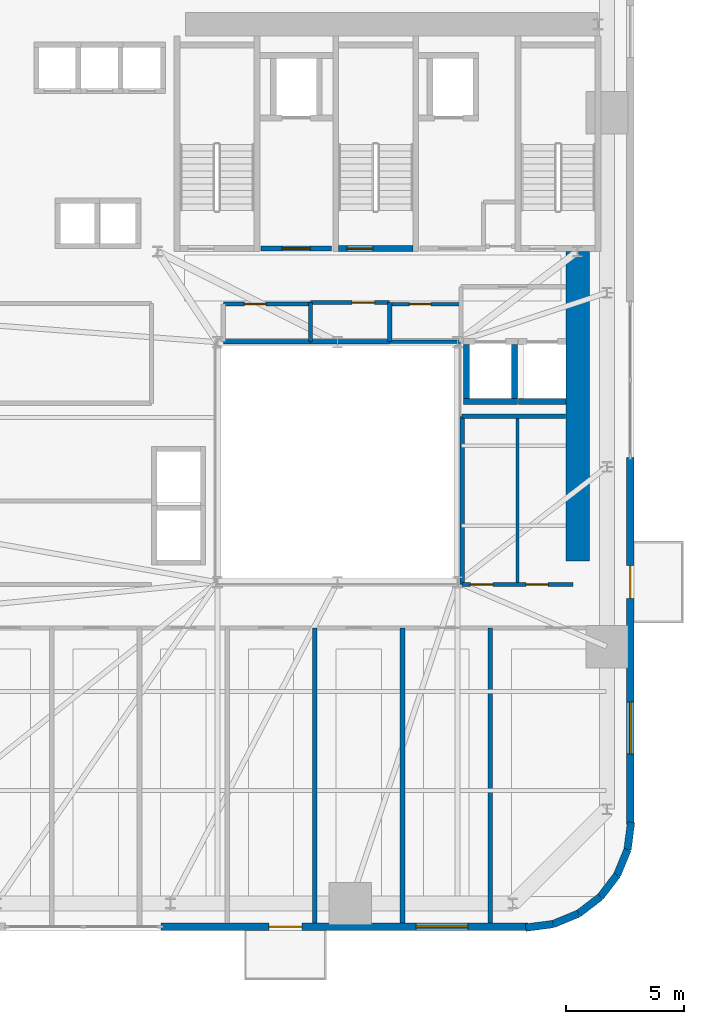
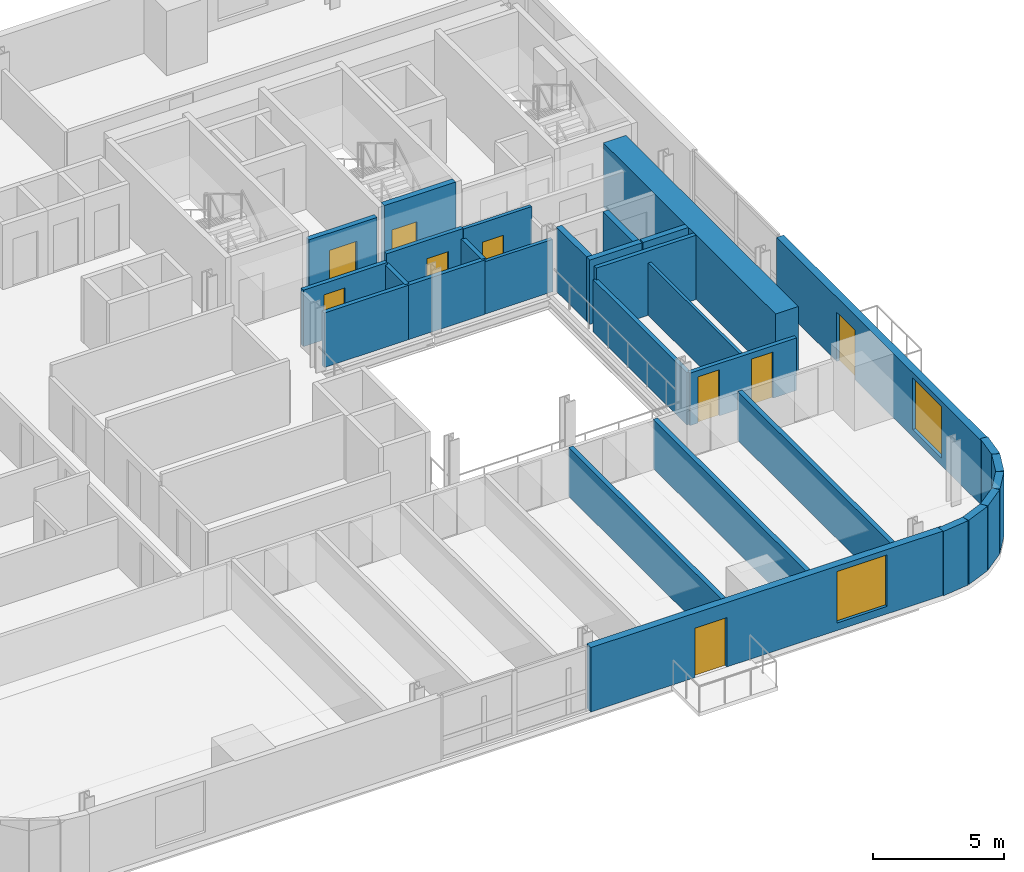
# One storey, part 7 of 13: 30 walls, 9 doors, 2 windows, 11 openings.
"""IFC4 building model written with IfcOpenShell, lengths in metres."""

from ifc_helpers import new_model, si_unit, direction, frame, frame_2d, origin, place, context, subcontext, project, spatial, rectangle, extrude, source, transform, mapped, material, layer, layer_set, type_object, element, fill, save


model = new_model("IFC4")

# Units and contexts
model_context = context("Model", 3, precision=1e-05, world=origin(), true_north=direction((0.0, 1.0)))
body_context = subcontext(model_context, "Body", "Model", "MODEL_VIEW")
ifc_project = project(units=[si_unit("LENGTHUNIT", "METRE"), si_unit("AREAUNIT", "SQUARE_METRE"), si_unit("VOLUMEUNIT", "CUBIC_METRE"), si_unit("PLANEANGLEUNIT", "RADIAN"), si_unit("MASSUNIT", "GRAM", prefix="KILO")], contexts=[model_context])

# Site, building, storey
site_placement = place(None, origin())
site = spatial("IfcSite", under=ifc_project, at=site_placement, CompositionType="ELEMENT")
building_placement = place(site_placement, origin())
building = spatial("IfcBuilding", under=site, at=building_placement, Name="Vardaveli Station Tower", CompositionType="ELEMENT")
storey_placement = place(building_placement, frame((0.0, 0.0, 89.64990234375)))
storey = spatial("IfcBuildingStorey", under=building, at=storey_placement, Name="L23", CompositionType="ELEMENT", Elevation=89.64990234375)

# Wall
ifc_material_1 = material(Name="Concrete C60/75", Category="concrete")
ifc_layer_1 = layer(ifc_material_1, 1.0, Name="Concrete C60/75")
ifc_layer_set_1 = layer_set([ifc_layer_1], Name="Concrete C60/75")
wall_type_1 = type_object("IfcWallType", Name="WAL-CORE-1000", PredefinedType="SHEAR", material=ifc_layer_set_1)
shared_shape_1 = source(origin(), body_context, "Body", "SweptSolid", [
    extrude(rectangle(XDim=13.14990234375, YDim=1.0, at=frame_2d((6.574951171875, 0.0))), origin(), (0.0, 0.0, 1.0), 3.0),
])
wall_1_placement = place(storey_placement, frame((46.5, 17.5, 0.0), z_axis=(0.0, 0.0, 1.0), x_axis=(0.0, 1.0, 0.0)))
element("IfcWall", 1, at=wall_1_placement, inside=storey, type_object=wall_type_1, Name="SW-L23-EAST2", PredefinedType="SHEAR", context=body_context, shape_type="MappedRepresentation", body=[
    mapped(shared_shape_1, transform((0.0, 0.0, 0.0), scale=1.0)),
])

# Wall, openings, door, window
ifc_material_2 = material(Name="Precast concrete C45/55", Category="concrete")
ifc_layer_2 = layer(ifc_material_2, 0.320068359375, Name="Precast concrete C45/55")
ifc_layer_set_2 = layer_set([ifc_layer_2], Name="Precast concrete C45/55")
wall_type_2 = type_object("IfcWallType", Name="WAL-EXT-STONE-320", PredefinedType="SOLIDWALL", material=ifc_layer_set_2)
shared_shape_2 = source(origin(), body_context, "Body", "SweptSolid", [
    extrude(rectangle(XDim=15.599853515625, YDim=0.320068359375, at=frame_2d((7.7998046875, 0.0))), origin(), (0.0, 0.0, 1.0), 3.0),
])
wall_2_placement = place(storey_placement, frame((28.800048828125, 1.9599609375, 0.0), z_axis=(0.0, 0.0, 1.0), x_axis=(1.0, 0.0, 0.0)))
wall_2 = element("IfcWall", 2, at=wall_2_placement, inside=storey, type_object=wall_type_2, Name="EW-L23-S2", PredefinedType="SOLIDWALL", context=body_context, shape_type="MappedRepresentation", body=[
    mapped(shared_shape_2, transform((0.0, 0.0, 0.0), scale=1.0)),
])
shared_shape_3 = source(origin(), body_context, "Body", "SweptSolid", [
    extrude(rectangle(XDim=1.39990234375, YDim=2.300048828125, at=frame_2d((0.699951171875, 1.14990234375))), frame((0.0, 0.169921875, 0.0), z_axis=(0.0, -1.0, 0.0), x_axis=(1.0, 0.0, 0.0)), (0.0, 0.0, 1.0), 0.340087890625),
])
opening_1_placement = place(wall_2_placement, frame((4.589599609375, 0.0, 0.0)))
opening_1 = element("IfcOpeningElement", 3, at=opening_1_placement, cuts=wall_2, Name="Opening D-09", PredefinedType="OPENING", context=body_context, shape_type="MappedRepresentation", body=[
    mapped(shared_shape_3, transform((0.0, 0.0, 0.0), scale=1.0)),
])
shared_shape_4 = source(origin(), body_context, "Body", "SweptSolid", [
    extrude(rectangle(XDim=2.199951171875, YDim=2.39990234375, at=frame_2d((1.10009765625, 1.199951171875))), frame((0.0, 0.169921875, 0.0), z_axis=(0.0, -1.0, 0.0), x_axis=(1.0, 0.0, 0.0)), (0.0, 0.0, 1.0), 0.340087890625),
])
opening_2_placement = place(wall_2_placement, frame((10.844970703125, 0.0, 0.35009765625)))
opening_2 = element("IfcOpeningElement", 4, at=opening_2_placement, cuts=wall_2, Name="Opening W-03", PredefinedType="OPENING", context=body_context, shape_type="MappedRepresentation", body=[
    mapped(shared_shape_4, transform((0.0, 0.0, 0.0), scale=1.0)),
])
ifc_material_3 = material(Name="Thermally broken aluminium glass", Category="aluminium")
door_type_1 = type_object("IfcDoorType", Name="DR-LOG-1400x2300", OperationType="DOUBLE_DOOR_SLIDING", PredefinedType="DOOR", material=ifc_material_3)
shared_shape_5 = source(origin(), body_context, "Body", "SweptSolid", [
    extrude(rectangle(XDim=1.39990234375, YDim=2.300048828125, at=frame_2d((0.699951171875, 1.14990234375))), frame((0.0, 0.02490234375, 0.0), z_axis=(0.0, -1.0, 0.0), x_axis=(1.0, 0.0, 0.0)), (0.0, 0.0, 1.0), 0.050048828125),
])
door_1_placement = place(opening_1_placement, frame((1.39990234375, 0.0, 0.0), z_axis=(0.0, 0.0, 1.0), x_axis=(-1.0, 0.0, 0.0)))
door_1 = element("IfcDoor", 5, at=door_1_placement, inside=storey, type_object=door_type_1, Name="DLG-L23-S", OperationType="DOUBLE_DOOR_SLIDING", OverallHeight=2.300048828125, OverallWidth=1.39990234375, PredefinedType="DOOR", context=body_context, shape_type="MappedRepresentation", body=[
    mapped(shared_shape_5, transform((0.0, 0.0, 0.0), scale=1.0)),
])
fill(opening_1, door_1)
ifc_material_4 = material(Name="Low-E solar-control glass", Category="glass")
window_type = type_object("IfcWindowType", Name="WIN-LOG-2200x2400", PartitioningType="SINGLE_PANEL", PredefinedType="WINDOW", material=ifc_material_4)
shared_shape_6 = source(origin(), body_context, "Body", "SweptSolid", [
    extrude(rectangle(XDim=2.199951171875, YDim=2.39990234375, at=frame_2d((1.10009765625, 1.199951171875))), frame((0.0, 0.030029296875, 0.0), z_axis=(0.0, -1.0, 0.0), x_axis=(1.0, 0.0, 0.0)), (0.0, 0.0, 1.0), 0.06005859375),
])
window_1_placement = place(opening_2_placement, origin())
window_1 = element("IfcWindow", 6, at=window_1_placement, inside=storey, type_object=window_type, Name="WN-L23-S2", OverallHeight=2.39990234375, OverallWidth=2.199951171875, PartitioningType="SINGLE_PANEL", PredefinedType="WINDOW", context=body_context, shape_type="MappedRepresentation", body=[
    mapped(shared_shape_6, transform((0.0, 0.0, 0.0), scale=1.0)),
])
fill(opening_2, window_1)

wall_3_placement = place(storey_placement, frame((48.739990234375, 6.300048828125, 0.0), z_axis=(0.0, 0.0, 1.0), x_axis=(0.0, 1.0, 0.0)))
wall_3 = element("IfcWall", 7, at=wall_3_placement, inside=storey, type_object=wall_type_2, Name="EW-L23-E1", PredefinedType="SOLIDWALL", context=body_context, shape_type="MappedRepresentation", body=[
    mapped(shared_shape_2, transform((0.0, 0.0, 0.0), scale=1.0)),
])
opening_3_placement = place(wall_3_placement, frame((9.6103515625, 0.0, 0.0)))
opening_3 = element("IfcOpeningElement", 8, at=opening_3_placement, cuts=wall_3, Name="Opening D-09", PredefinedType="OPENING", context=body_context, shape_type="MappedRepresentation", body=[
    mapped(shared_shape_3, transform((0.0, 0.0, 0.0), scale=1.0)),
])
opening_4_placement = place(wall_3_placement, frame((3.0048828125, 0.0, 0.35009765625)))
opening_4 = element("IfcOpeningElement", 9, at=opening_4_placement, cuts=wall_3, Name="Opening W-03", PredefinedType="OPENING", context=body_context, shape_type="MappedRepresentation", body=[
    mapped(shared_shape_4, transform((0.0, 0.0, 0.0), scale=1.0)),
])
door_2_placement = place(opening_3_placement, frame((1.39990234375, 0.0, 0.0), z_axis=(0.0, 0.0, 1.0), x_axis=(-1.0, 0.0, 0.0)))
door_2 = element("IfcDoor", 10, at=door_2_placement, inside=storey, type_object=door_type_1, Name="DLG-L23-E", OperationType="DOUBLE_DOOR_SLIDING", OverallHeight=2.300048828125, OverallWidth=1.39990234375, PredefinedType="DOOR", context=body_context, shape_type="MappedRepresentation", body=[
    mapped(shared_shape_5, transform((0.0, 0.0, 0.0), scale=1.0)),
])
fill(opening_3, door_2)
window_2_placement = place(opening_4_placement, origin())
window_2 = element("IfcWindow", 11, at=window_2_placement, inside=storey, type_object=window_type, Name="WN-L23-E1", OverallHeight=2.39990234375, OverallWidth=2.199951171875, PartitioningType="SINGLE_PANEL", PredefinedType="WINDOW", context=body_context, shape_type="MappedRepresentation", body=[
    mapped(shared_shape_6, transform((0.0, 0.0, 0.0), scale=1.0)),
])
fill(opening_4, window_2)

# Walls
shared_shape_7 = source(origin(), body_context, "Body", "SweptSolid", [
    extrude(rectangle(XDim=1.170654296875, YDim=0.320068359375, at=frame_2d((0.58544921875, 0.0))), origin(), (0.0, 0.0, 1.0), 3.0),
])
wall_4_placement = place(storey_placement, frame((48.62548828125, 5.23974609375, 0.0), z_axis=(0.0, 0.0, 1.0), x_axis=(0.128269133229, 0.991739395941, 0.0)))
element("IfcWall", 12, at=wall_4_placement, inside=storey, type_object=wall_type_2, Name="EW-L23-CR2-6", PredefinedType="SOLIDWALL", context=body_context, shape_type="MappedRepresentation", body=[
    mapped(shared_shape_7, transform((0.0, 0.0, 0.0), scale=1.0)),
])
shared_shape_8 = source(origin(), body_context, "Body", "SweptSolid", [
    extrude(rectangle(XDim=1.1689453125, YDim=0.320068359375, at=frame_2d((0.58447265625, 0.0))), origin(), (0.0, 0.0, 1.0), 3.0),
])
for number, where, z_axis, x_axis, name in (
    (13, (47.46875, 3.231201171875, 0.0), (0.0, 0.0, 1.0), (0.608387696831, 0.793639975269, 0.0), "EW-L23-CR2-4"),
    (14, (48.179931640625, 4.158935546875, 0.0), (0.0, 0.0, 1.0), (0.381127904695, 0.924522320046, 0.0), "EW-L23-CR2-5"),
):
    element("IfcWall", number, at=place(storey_placement, frame(where, z_axis=z_axis, x_axis=x_axis)), inside=storey, type_object=wall_type_2, Name=name, PredefinedType="SOLIDWALL", context=body_context, shape_type="MappedRepresentation", body=[
        mapped(shared_shape_8, transform((0.0, 0.0, 0.0), scale=1.0)),
    ])
shared_shape_9 = source(origin(), body_context, "Body", "SweptSolid", [
    extrude(rectangle(XDim=1.168701171875, YDim=0.320068359375, at=frame_2d((0.58447265625, 0.0))), origin(), (0.0, 0.0, 1.0), 3.0),
])
wall_5_placement = place(storey_placement, frame((46.541259765625, 2.520263671875, 0.0), z_axis=(0.0, 0.0, 1.0), x_axis=(0.793663520347, 0.608356981114, 0.0)))
element("IfcWall", 15, at=wall_5_placement, inside=storey, type_object=wall_type_2, Name="EW-L23-CR2-3", PredefinedType="SOLIDWALL", context=body_context, shape_type="MappedRepresentation", body=[
    mapped(shared_shape_9, transform((0.0, 0.0, 0.0), scale=1.0)),
])
shared_shape_10 = source(origin(), body_context, "Body", "SweptSolid", [
    extrude(rectangle(XDim=1.16943359375, YDim=0.320068359375, at=frame_2d((0.584716796875, 0.0))), origin(), (0.0, 0.0, 1.0), 3.0),
])
wall_6_placement = place(storey_placement, frame((45.460205078125, 2.074462890625, 0.0), z_axis=(0.0, 0.0, 1.0), x_axis=(0.924479075121, 0.381232789334, 0.0)))
element("IfcWall", 16, at=wall_6_placement, inside=storey, type_object=wall_type_2, Name="EW-L23-CR2-2", PredefinedType="SOLIDWALL", context=body_context, shape_type="MappedRepresentation", body=[
    mapped(shared_shape_10, transform((0.0, 0.0, 0.0), scale=1.0)),
])
shared_shape_11 = source(origin(), body_context, "Body", "SweptSolid", [
    extrude(rectangle(XDim=1.170166015625, YDim=0.320068359375, at=frame_2d((0.5849609375, 0.0))), origin(), (0.0, 0.0, 1.0), 3.0),
])
wall_7_placement = place(storey_placement, frame((44.299560546875, 1.924560546875, 0.0), z_axis=(0.0, 0.0, 1.0), x_axis=(0.991762485493, 0.128090485085, 0.0)))
element("IfcWall", 17, at=wall_7_placement, inside=storey, type_object=wall_type_2, Name="EW-L23-CR2-1", PredefinedType="SOLIDWALL", context=body_context, shape_type="MappedRepresentation", body=[
    mapped(shared_shape_11, transform((0.0, 0.0, 0.0), scale=1.0)),
])

# Wall, opening, door
ifc_material_5 = material(Name="Concrete C40/50", Category="concrete")
ifc_layer_3 = layer(ifc_material_5, 0.25, Name="Concrete C40/50")
ifc_layer_set_3 = layer_set([ifc_layer_3], Name="Concrete C40/50")
wall_type_3 = type_object("IfcWallType", Name="WAL-SHAFT-250", PredefinedType="SOLIDWALL", material=ifc_layer_set_3)
shared_shape_12 = source(origin(), body_context, "Body", "SweptSolid", [
    extrude(rectangle(XDim=3.14990234375, YDim=0.25, at=frame_2d((1.574951171875, 0.0))), origin(), (0.0, 0.0, 1.0), 3.4501953125),
])
wall_8_placement = place(storey_placement, frame((36.35009765625, 30.77490234375, 0.0), z_axis=(0.0, 0.0, 1.0), x_axis=(1.0, 0.0, 0.0)))
wall_8 = element("IfcWall", 18, at=wall_8_placement, inside=storey, type_object=wall_type_3, Name="W-L23-ST-2S", PredefinedType="SOLIDWALL", context=body_context, shape_type="MappedRepresentation", body=[
    mapped(shared_shape_12, transform((0.0, 0.0, 0.0), scale=1.0)),
])
shared_shape_13 = source(origin(), body_context, "Body", "SweptSolid", [
    extrude(rectangle(XDim=1.10009765625, YDim=2.199951171875, at=frame_2d((0.550048828125, 1.10009765625))), frame((0.0, 0.135009765625, 0.0), z_axis=(0.0, -1.0, 0.0), x_axis=(1.0, 0.0, 0.0)), (0.0, 0.0, 1.0), 0.27001953125),
])
opening_5_placement = place(wall_8_placement, frame((0.35009765625, 0.0, 0.0)))
opening_5 = element("IfcOpeningElement", 19, at=opening_5_placement, cuts=wall_8, Name="Opening D-04", PredefinedType="OPENING", context=body_context, shape_type="MappedRepresentation", body=[
    mapped(shared_shape_13, transform((0.0, 0.0, 0.0), scale=1.0)),
])
ifc_material_6 = material(Name="Steel smokeproof fire doorset", Category="steel")
door_type_2 = type_object("IfcDoorType", Name="DR-ST-1100x2200", OperationType="NOTDEFINED", PredefinedType="DOOR", material=ifc_material_6)
shared_shape_14 = source(origin(), body_context, "Body", "SweptSolid", [
    extrude(rectangle(XDim=1.10009765625, YDim=2.199951171875, at=frame_2d((0.550048828125, 1.10009765625))), frame((0.0, 0.02490234375, 0.0), z_axis=(0.0, -1.0, 0.0), x_axis=(1.0, 0.0, 0.0)), (0.0, 0.0, 1.0), 0.050048828125),
])
door_3_placement = place(opening_5_placement, origin())
door_3 = element("IfcDoor", 20, at=door_3_placement, inside=storey, type_object=door_type_2, Name="DST-2-L23", OperationType="SINGLE_SWING_LEFT", OverallHeight=2.199951171875, OverallWidth=1.10009765625, PredefinedType="DOOR", context=body_context, shape_type="MappedRepresentation", body=[
    mapped(shared_shape_14, transform((0.0, 0.0, 0.0), scale=1.0)),
])
fill(opening_5, door_3)

ifc_layer_4 = layer(ifc_material_5, 0.219970703125, Name="Concrete C40/50")
ifc_layer_set_4 = layer_set([ifc_layer_4], Name="Concrete C40/50")
wall_type_4 = type_object("IfcWallType", Name="WAL-FFLOBBY-220", PredefinedType="SOLIDWALL", material=ifc_layer_set_4)
shared_shape_15 = source(origin(), body_context, "Body", "SweptSolid", [
    extrude(rectangle(XDim=3.0, YDim=0.219970703125, at=frame_2d((1.5, 0.0))), origin(), (0.0, 0.0, 1.0), 3.0),
])
wall_9_placement = place(storey_placement, frame((33.050048828125, 30.780029296875, 0.0), z_axis=(0.0, 0.0, 1.0), x_axis=(1.0, 0.0, 0.0)))
wall_9 = element("IfcWall", 21, at=wall_9_placement, inside=storey, type_object=wall_type_4, Name="W-L23-FFL1S", PredefinedType="SOLIDWALL", context=body_context, shape_type="MappedRepresentation", body=[
    mapped(shared_shape_15, transform((0.0, 0.0, 0.0), scale=1.0)),
])
shared_shape_16 = source(origin(), body_context, "Body", "SweptSolid", [
    extrude(rectangle(XDim=1.199951171875, YDim=2.199951171875, at=frame_2d((0.60009765625, 1.10009765625))), frame((0.0, 0.1201171875, 0.0), z_axis=(0.0, -1.0, 0.0), x_axis=(1.0, 0.0, 0.0)), (0.0, 0.0, 1.0), 0.239990234375),
])
opening_6_placement = place(wall_9_placement, frame((0.89990234375, 0.0, 0.0)))
opening_6 = element("IfcOpeningElement", 22, at=opening_6_placement, cuts=wall_9, Name="Opening D-03", PredefinedType="OPENING", context=body_context, shape_type="MappedRepresentation", body=[
    mapped(shared_shape_16, transform((0.0, 0.0, 0.0), scale=1.0)),
])
door_type_3 = type_object("IfcDoorType", Name="DR-FFL-1200x2200", OperationType="NOTDEFINED", PredefinedType="DOOR", material=ifc_material_6)
shared_shape_17 = source(origin(), body_context, "Body", "SweptSolid", [
    extrude(rectangle(XDim=1.199951171875, YDim=2.199951171875, at=frame_2d((0.60009765625, 1.10009765625))), frame((0.0, 0.02490234375, 0.0), z_axis=(0.0, -1.0, 0.0), x_axis=(1.0, 0.0, 0.0)), (0.0, 0.0, 1.0), 0.050048828125),
])
door_4_placement = place(opening_6_placement, origin())
door_4 = element("IfcDoor", 23, at=door_4_placement, inside=storey, type_object=door_type_3, Name="DFFL1-L23", OperationType="SINGLE_SWING_LEFT", OverallHeight=2.199951171875, OverallWidth=1.199951171875, PredefinedType="DOOR", context=body_context, shape_type="MappedRepresentation", body=[
    mapped(shared_shape_17, transform((0.0, 0.0, 0.0), scale=1.0)),
])
fill(opening_6, door_4)

# Walls
shared_shape_18 = source(origin(), body_context, "Body", "SweptSolid", [
    extrude(rectangle(XDim=2.300048828125, YDim=0.25, at=frame_2d((1.14990234375, 0.0))), origin(), (0.0, 0.0, 1.0), 3.0),
])
for number, where, z_axis, x_axis, name in (
    (24, (41.64990234375, 24.27490234375, 0.0), (0.0, 0.0, 1.0), (1.0, 0.0, 0.0), "SHW-SRV-01-L23-S"),
    (25, (41.77490234375, 24.39990234375, 0.0), (0.0, 0.0, 1.0), (0.0, 1.0, 0.0), "SHW-SRV-01-L23-W"),
    (26, (43.824951171875, 24.39990234375, 0.0), (0.0, 0.0, 1.0), (0.0, 1.0, 0.0), "SHW-SRV-01-L23-E"),
):
    element("IfcWall", number, at=place(storey_placement, frame(where, z_axis=z_axis, x_axis=x_axis)), inside=storey, type_object=wall_type_3, Name=name, PredefinedType="SOLIDWALL", context=body_context, shape_type="MappedRepresentation", body=[
        mapped(shared_shape_18, transform((0.0, 0.0, 0.0), scale=1.0)),
    ])
shared_shape_19 = source(origin(), body_context, "Body", "SweptSolid", [
    extrude(rectangle(XDim=2.0, YDim=0.25, at=frame_2d((1.0, 0.0))), origin(), (0.0, 0.0, 1.0), 3.0),
])
wall_10_placement = place(storey_placement, frame((44.0, 24.27490234375, 0.0), z_axis=(0.0, 0.0, 1.0), x_axis=(1.0, 0.0, 0.0)))
element("IfcWall", 27, at=wall_10_placement, inside=storey, type_object=wall_type_3, Name="SHW-SRV-02-L23-S", PredefinedType="SOLIDWALL", context=body_context, shape_type="MappedRepresentation", body=[
    mapped(shared_shape_19, transform((0.0, 0.0, 0.0), scale=1.0)),
])

# Wall, openings, doors
ifc_material_7 = material(Name="Fire-rated gypsum stud partition")
ifc_layer_5 = layer(ifc_material_7, 0.179931640625, Name="Fire-rated gypsum stud partition")
ifc_layer_set_5 = layer_set([ifc_layer_5], Name="Fire-rated gypsum stud partition")
wall_type_5 = type_object("IfcWallType", Name="WAL-CORR-180", PredefinedType="PARTITIONING", material=ifc_layer_set_5)
shared_shape_20 = source(origin(), body_context, "Body", "SweptSolid", [
    extrude(rectangle(XDim=4.699951171875, YDim=0.179931640625, at=frame_2d((2.35009765625, 0.0))), origin(), (0.0, 0.0, 1.0), 2.442138671875),
])
wall_11_placement = place(storey_placement, frame((41.60009765625, 16.5, 0.0), z_axis=(0.0, 0.0, 1.0), x_axis=(1.0, 0.0, 0.0)))
wall_11 = element("IfcWall", 28, at=wall_11_placement, inside=storey, type_object=wall_type_5, Name="W-L23-ATE-S", PredefinedType="PARTITIONING", context=body_context, shape_type="MappedRepresentation", body=[
    mapped(shared_shape_20, transform((0.0, 0.0, 0.0), scale=1.0)),
])
shared_shape_21 = source(origin(), body_context, "Body", "SweptSolid", [
    extrude(rectangle(XDim=0.949951171875, YDim=2.14990234375, at=frame_2d((0.47509765625, 1.074951171875))), frame((0.0, 0.10009765625, 0.0), z_axis=(0.0, -1.0, 0.0), x_axis=(1.0, 0.0, 0.0)), (0.0, 0.0, 1.0), 0.199951171875),
])
opening_7_placement = place(wall_11_placement, frame((0.35009765625, 0.0, 0.0)))
opening_7 = element("IfcOpeningElement", 29, at=opening_7_placement, cuts=wall_11, Name="Opening D-11", PredefinedType="OPENING", context=body_context, shape_type="MappedRepresentation", body=[
    mapped(shared_shape_21, transform((0.0, 0.0, 0.0), scale=1.0)),
])
opening_8_placement = place(wall_11_placement, frame((2.699951171875, 0.0, 0.0)))
opening_8 = element("IfcOpeningElement", 30, at=opening_8_placement, cuts=wall_11, Name="Opening D-11", PredefinedType="OPENING", context=body_context, shape_type="MappedRepresentation", body=[
    mapped(shared_shape_21, transform((0.0, 0.0, 0.0), scale=1.0)),
])
ifc_material_8 = material(Name="Oak veneer internal suite door")
door_type_4 = type_object("IfcDoorType", Name="DR-INT-950x2150", OperationType="NOTDEFINED", PredefinedType="DOOR", material=ifc_material_8)
shared_shape_22 = source(origin(), body_context, "Body", "SweptSolid", [
    extrude(rectangle(XDim=0.949951171875, YDim=2.14990234375, at=frame_2d((0.47509765625, 1.074951171875))), frame((0.0, 0.02490234375, 0.0), z_axis=(0.0, -1.0, 0.0), x_axis=(1.0, 0.0, 0.0)), (0.0, 0.0, 1.0), 0.050048828125),
])
door_5_placement = place(opening_7_placement, origin())
door_5 = element("IfcDoor", 31, at=door_5_placement, inside=storey, type_object=door_type_4, Name="D-L23-ATE1", OperationType="SINGLE_SWING_RIGHT", OverallHeight=2.14990234375, OverallWidth=0.949951171875, PredefinedType="DOOR", context=body_context, shape_type="MappedRepresentation", body=[
    mapped(shared_shape_22, transform((0.0, 0.0, 0.0), scale=1.0)),
])
fill(opening_7, door_5)
door_6_placement = place(opening_8_placement, origin())
door_6 = element("IfcDoor", 32, at=door_6_placement, inside=storey, type_object=door_type_4, Name="D-L23-ATE2", OperationType="SINGLE_SWING_LEFT", OverallHeight=2.14990234375, OverallWidth=0.949951171875, PredefinedType="DOOR", context=body_context, shape_type="MappedRepresentation", body=[
    mapped(shared_shape_22, transform((0.0, 0.0, 0.0), scale=1.0)),
])
fill(opening_8, door_6)

# Wall, opening, door
shared_shape_23 = source(origin(), body_context, "Body", "SweptSolid", [
    extrude(rectangle(XDim=3.699951171875, YDim=0.179931640625, at=frame_2d((1.85009765625, 0.0))), origin(), (0.0, 0.0, 1.0), 2.632080078125),
])
wall_12_placement = place(storey_placement, frame((31.449951171875, 28.419921875, 0.0), z_axis=(0.0, 0.0, 1.0), x_axis=(1.0, 0.0, 0.0)))
wall_12 = element("IfcWall", 33, at=wall_12_placement, inside=storey, type_object=wall_type_5, Name="W-L23-CS2A-N", PredefinedType="PARTITIONING", context=body_context, shape_type="MappedRepresentation", body=[
    mapped(shared_shape_23, transform((0.0, 0.0, 0.0), scale=1.0)),
])
shared_shape_24 = source(origin(), body_context, "Body", "SweptSolid", [
    extrude(rectangle(XDim=0.919921875, YDim=2.10009765625, at=frame_2d((0.4599609375, 1.050048828125))), frame((0.0, 0.10009765625, 0.0), z_axis=(0.0, -1.0, 0.0), x_axis=(1.0, 0.0, 0.0)), (0.0, 0.0, 1.0), 0.199951171875),
])
opening_9_placement = place(wall_12_placement, frame((0.89990234375, 0.0, 0.0)))
opening_9 = element("IfcOpeningElement", 34, at=opening_9_placement, cuts=wall_12, Name="Opening D-07", PredefinedType="OPENING", context=body_context, shape_type="MappedRepresentation", body=[
    mapped(shared_shape_24, transform((0.0, 0.0, 0.0), scale=1.0)),
])
ifc_material_9 = material(Name="Moisture-resistant hardwood door", Category="wood")
door_type_5 = type_object("IfcDoorType", Name="DR-WC-920x2100", OperationType="NOTDEFINED", PredefinedType="DOOR", material=ifc_material_9)
shared_shape_25 = source(origin(), body_context, "Body", "SweptSolid", [
    extrude(rectangle(XDim=0.919921875, YDim=2.10009765625, at=frame_2d((0.4599609375, 1.050048828125))), frame((0.0, 0.02490234375, 0.0), z_axis=(0.0, -1.0, 0.0), x_axis=(1.0, 0.0, 0.0)), (0.0, 0.0, 1.0), 0.050048828125),
])
door_7_placement = place(opening_9_placement, origin())
door_7 = element("IfcDoor", 35, at=door_7_placement, inside=storey, type_object=door_type_5, Name="D-L23-CS2A", OperationType="SINGLE_SWING_LEFT", OverallHeight=2.10009765625, OverallWidth=0.919921875, PredefinedType="DOOR", context=body_context, shape_type="MappedRepresentation", body=[
    mapped(shared_shape_25, transform((0.0, 0.0, 0.0), scale=1.0)),
])
fill(opening_9, door_7)

shared_shape_26 = source(origin(), body_context, "Body", "SweptSolid", [
    extrude(rectangle(XDim=3.3701171875, YDim=0.179931640625, at=frame_2d((1.68505859375, 0.0))), origin(), (0.0, 0.0, 1.0), 3.0),
])
wall_13_placement = place(storey_placement, frame((35.14990234375, 28.47998046875, 0.0), z_axis=(0.0, 0.0, 1.0), x_axis=(1.0, 0.0, 0.0)))
wall_13 = element("IfcWall", 36, at=wall_13_placement, inside=storey, type_object=wall_type_5, Name="W-L23-HKP2-N", PredefinedType="PARTITIONING", context=body_context, shape_type="MappedRepresentation", body=[
    mapped(shared_shape_26, transform((0.0, 0.0, 0.0), scale=1.0)),
])
opening_10_placement = place(wall_13_placement, frame((1.77490234375, 0.0, 0.0)))
opening_10 = element("IfcOpeningElement", 37, at=opening_10_placement, cuts=wall_13, Name="Opening D-06", PredefinedType="OPENING", context=body_context, shape_type="MappedRepresentation", body=[
    mapped(shared_shape_21, transform((0.0, 0.0, 0.0), scale=1.0)),
])
ifc_material_10 = material(Name="Oak veneer acoustic fire door")
door_type_6 = type_object("IfcDoorType", Name="DR-GUEST-950x2150", OperationType="NOTDEFINED", PredefinedType="DOOR", material=ifc_material_10)
door_8_placement = place(opening_10_placement, origin())
door_8 = element("IfcDoor", 38, at=door_8_placement, inside=storey, type_object=door_type_6, Name="D-L23-HKP", OperationType="SINGLE_SWING_LEFT", OverallHeight=2.14990234375, OverallWidth=0.949951171875, PredefinedType="DOOR", context=body_context, shape_type="MappedRepresentation", body=[
    mapped(shared_shape_22, transform((0.0, 0.0, 0.0), scale=1.0)),
])
fill(opening_10, door_8)

ifc_material_11 = material(Name="Moisture-resistant stud partition")
ifc_layer_6 = layer(ifc_material_11, 0.14990234375, Name="Moisture-resistant stud partition")
ifc_layer_set_6 = layer_set([ifc_layer_6], Name="Moisture-resistant stud partition")
wall_type_6 = type_object("IfcWallType", Name="WAL-WET-150", PredefinedType="PARTITIONING", material=ifc_layer_set_6)
shared_shape_27 = source(origin(), body_context, "Body", "SweptSolid", [
    extrude(rectangle(XDim=3.0, YDim=0.14990234375, at=frame_2d((1.5, 0.0))), origin(), (0.0, 0.0, 1.0), 3.0),
])
wall_14_placement = place(storey_placement, frame((38.52001953125, 28.419921875, 0.0), z_axis=(0.0, 0.0, 1.0), x_axis=(1.0, 0.0, 0.0)))
wall_14 = element("IfcWall", 39, at=wall_14_placement, inside=storey, type_object=wall_type_6, Name="W-L23-WCA2-N", PredefinedType="PARTITIONING", context=body_context, shape_type="MappedRepresentation", body=[
    mapped(shared_shape_27, transform((0.0, 0.0, 0.0), scale=1.0)),
])
shared_shape_28 = source(origin(), body_context, "Body", "SweptSolid", [
    extrude(rectangle(XDim=0.919921875, YDim=2.10009765625, at=frame_2d((0.4599609375, 1.050048828125))), frame((0.0, 0.0849609375, 0.0), z_axis=(0.0, -1.0, 0.0), x_axis=(1.0, 0.0, 0.0)), (0.0, 0.0, 1.0), 0.169921875),
])
opening_11_placement = place(wall_14_placement, frame((0.830078125, 0.0, 0.0)))
opening_11 = element("IfcOpeningElement", 40, at=opening_11_placement, cuts=wall_14, Name="Opening D-07", PredefinedType="OPENING", context=body_context, shape_type="MappedRepresentation", body=[
    mapped(shared_shape_28, transform((0.0, 0.0, 0.0), scale=1.0)),
])
door_9_placement = place(opening_11_placement, origin())
door_9 = element("IfcDoor", 41, at=door_9_placement, inside=storey, type_object=door_type_5, Name="D-L23-WCA", OperationType="SINGLE_SWING_LEFT", OverallHeight=2.10009765625, OverallWidth=0.919921875, PredefinedType="DOOR", context=body_context, shape_type="MappedRepresentation", body=[
    mapped(shared_shape_25, transform((0.0, 0.0, 0.0), scale=1.0)),
])
fill(opening_11, door_9)

# Walls
ifc_material_12 = material(Name="Acoustic twin-stud gypsum partition")
ifc_layer_7 = layer(ifc_material_12, 0.199951171875, Name="Acoustic twin-stud gypsum partition")
ifc_layer_set_7 = layer_set([ifc_layer_7], Name="Acoustic twin-stud gypsum partition")
wall_type_7 = type_object("IfcWallType", Name="WAL-PARTY-200", PredefinedType="PARTITIONING", material=ifc_layer_set_7)
shared_shape_29 = source(origin(), body_context, "Body", "SweptSolid", [
    extrude(rectangle(XDim=12.537841796875, YDim=0.199951171875, at=frame_2d((6.26904296875, 0.0))), origin(), (0.0, 0.0, 1.0), 2.276123046875),
])
for number, where, z_axis, x_axis, name in (
    (42, (35.337890625, 2.1220703125, 0.0), (0.0, 0.0, 1.0), (0.0, 1.0, 0.0), "W-L23-PS5"),
    (43, (39.06298828125, 2.1220703125, 0.0), (0.0, 0.0, 1.0), (0.0, 1.0, 0.0), "W-L23-PS6"),
    (44, (42.7880859375, 2.1220703125, 0.0), (0.0, 0.0, 1.0), (0.0, 1.0, 0.0), "W-L23-PS7"),
):
    element("IfcWall", number, at=place(storey_placement, frame(where, z_axis=z_axis, x_axis=x_axis)), inside=storey, type_object=wall_type_7, Name=name, PredefinedType="PARTITIONING", context=body_context, shape_type="MappedRepresentation", body=[
        mapped(shared_shape_29, transform((0.0, 0.0, 0.0), scale=1.0)),
    ])
shared_shape_30 = source(origin(), body_context, "Body", "SweptSolid", [
    extrude(rectangle(XDim=7.14990234375, YDim=0.179931640625, at=frame_2d((3.574951171875, 0.0))), origin(), (0.0, 0.0, 1.0), 2.442138671875),
])
wall_15_placement = place(storey_placement, frame((41.60009765625, 16.5, 0.0), z_axis=(0.0, 0.0, 1.0), x_axis=(0.0, 1.0, 0.0)))
element("IfcWall", 45, at=wall_15_placement, inside=storey, type_object=wall_type_5, Name="W-L23-ATE-W", PredefinedType="PARTITIONING", context=body_context, shape_type="MappedRepresentation", body=[
    mapped(shared_shape_30, transform((0.0, 0.0, 0.0), scale=1.0)),
])
ifc_material_13 = material(Name="Gypsum board stud partition")
ifc_layer_8 = layer(ifc_material_13, 0.125, Name="Gypsum board stud partition")
ifc_layer_set_8 = layer_set([ifc_layer_8], Name="Gypsum board stud partition")
wall_type_8 = type_object("IfcWallType", Name="WAL-INT-125", PredefinedType="PARTITIONING", material=ifc_layer_set_8)
shared_shape_31 = source(origin(), body_context, "Body", "SweptSolid", [
    extrude(rectangle(XDim=7.14990234375, YDim=0.125, at=frame_2d((3.574951171875, 0.0))), origin(), (0.0, 0.0, 1.0), 2.442138671875),
])
wall_16_placement = place(storey_placement, frame((43.949951171875, 16.5, 0.0), z_axis=(0.0, 0.0, 1.0), x_axis=(0.0, 1.0, 0.0)))
element("IfcWall", 46, at=wall_16_placement, inside=storey, type_object=wall_type_8, Name="W-L23-ATEM", PredefinedType="PARTITIONING", context=body_context, shape_type="MappedRepresentation", body=[
    mapped(shared_shape_31, transform((0.0, 0.0, 0.0), scale=1.0)),
])
shared_shape_32 = source(origin(), body_context, "Body", "SweptSolid", [
    extrude(rectangle(XDim=4.39794921875, YDim=0.179931640625, at=frame_2d((2.198974609375, 0.0))), origin(), (0.0, 0.0, 1.0), 3.0),
])
wall_17_placement = place(storey_placement, frame((41.60009765625, 23.64990234375, 0.0), z_axis=(0.0, 0.0, 1.0), x_axis=(1.0, 0.0, 0.0)))
element("IfcWall", 47, at=wall_17_placement, inside=storey, type_object=wall_type_5, Name="W-L23-ATE-N", PredefinedType="PARTITIONING", context=body_context, shape_type="MappedRepresentation", body=[
    mapped(shared_shape_32, transform((0.0, 0.0, 0.0), scale=1.0)),
])
shared_shape_33 = source(origin(), body_context, "Body", "SweptSolid", [
    extrude(rectangle(XDim=3.699951171875, YDim=0.179931640625, at=frame_2d((1.85009765625, 0.0))), origin(), (0.0, 0.0, 1.0), 2.5419921875),
])
wall_18_placement = place(storey_placement, frame((31.449951171875, 26.820068359375, 0.0), z_axis=(0.0, 0.0, 1.0), x_axis=(1.0, 0.0, 0.0)))
element("IfcWall", 48, at=wall_18_placement, inside=storey, type_object=wall_type_5, Name="W-L23-CS2A-S", PredefinedType="PARTITIONING", context=body_context, shape_type="MappedRepresentation", body=[
    mapped(shared_shape_33, transform((0.0, 0.0, 0.0), scale=1.0)),
])
shared_shape_34 = source(origin(), body_context, "Body", "SweptSolid", [
    extrude(rectangle(XDim=3.3701171875, YDim=0.179931640625, at=frame_2d((1.68505859375, 0.0))), origin(), (0.0, 0.0, 1.0), 2.5419921875),
])
wall_19_placement = place(storey_placement, frame((35.14990234375, 26.820068359375, 0.0), z_axis=(0.0, 0.0, 1.0), x_axis=(1.0, 0.0, 0.0)))
element("IfcWall", 49, at=wall_19_placement, inside=storey, type_object=wall_type_5, Name="W-L23-HKP2-S", PredefinedType="PARTITIONING", context=body_context, shape_type="MappedRepresentation", body=[
    mapped(shared_shape_34, transform((0.0, 0.0, 0.0), scale=1.0)),
])
shared_shape_35 = source(origin(), body_context, "Body", "SweptSolid", [
    extrude(rectangle(XDim=3.0, YDim=0.14990234375, at=frame_2d((1.5, 0.0))), origin(), (0.0, 0.0, 1.0), 2.442138671875),
])
wall_20_placement = place(storey_placement, frame((38.52001953125, 26.820068359375, 0.0), z_axis=(0.0, 0.0, 1.0), x_axis=(1.0, 0.0, 0.0)))
element("IfcWall", 50, at=wall_20_placement, inside=storey, type_object=wall_type_6, Name="W-L23-WCA2-S", PredefinedType="PARTITIONING", context=body_context, shape_type="MappedRepresentation", body=[
    mapped(shared_shape_35, transform((0.0, 0.0, 0.0), scale=1.0)),
])
shared_shape_36 = source(origin(), body_context, "Body", "SweptSolid", [
    extrude(rectangle(XDim=1.659912109375, YDim=0.179931640625, at=frame_2d((0.830078125, 0.0))), origin(), (0.0, 0.0, 1.0), 2.5419921875),
])
for number, where, z_axis, x_axis, name in (
    (51, (35.14990234375, 26.820068359375, 0.0), (0.0, 0.0, 1.0), (0.0, 1.0, 0.0), "W-L23-HKP2-W"),
    (52, (38.52001953125, 26.820068359375, 0.0), (0.0, 0.0, 1.0), (0.0, 1.0, 0.0), "W-L23-HKP2-E"),
):
    element("IfcWall", number, at=place(storey_placement, frame(where, z_axis=z_axis, x_axis=x_axis)), inside=storey, type_object=wall_type_5, Name=name, PredefinedType="PARTITIONING", context=body_context, shape_type="MappedRepresentation", body=[
        mapped(shared_shape_36, transform((0.0, 0.0, 0.0), scale=1.0)),
    ])

save(model, "model.ifc")
